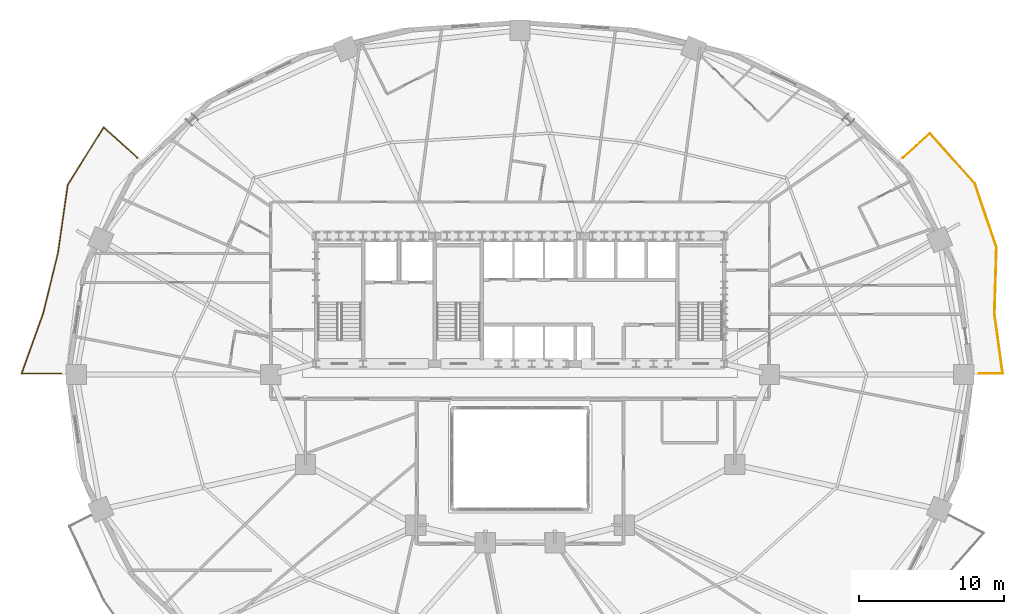
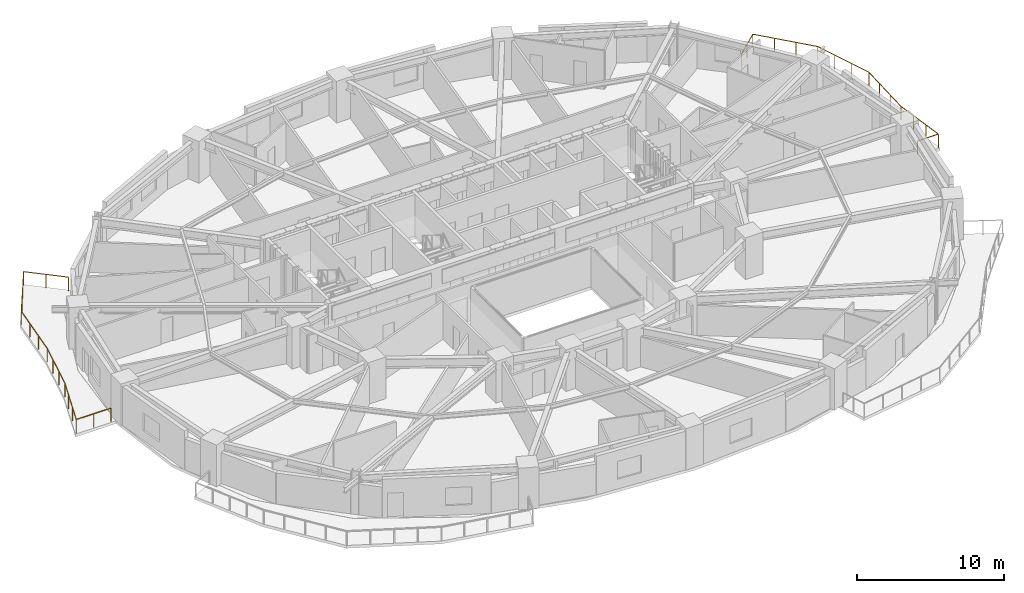
# One storey, part 17 of 17: 2 railings.
"""IFC4 building model written with IfcOpenShell, lengths in metres."""

from ifc_helpers import new_model, si_unit, direction, frame, origin, origin_2d, place, context, subcontext, project, spatial, rectangle, extrude, material, type_object, element, save


model = new_model("IFC4")

# Units and contexts
model_context = context("Model", 3, precision=1e-05, world=origin(), true_north=direction((0.0, 1.0)))
body_context = subcontext(model_context, "Body", "Model", "MODEL_VIEW")
ifc_project = project(units=[si_unit("LENGTHUNIT", "METRE"), si_unit("AREAUNIT", "SQUARE_METRE"), si_unit("VOLUMEUNIT", "CUBIC_METRE"), si_unit("PLANEANGLEUNIT", "RADIAN"), si_unit("MASSUNIT", "GRAM", prefix="KILO")], contexts=[model_context])

# Site, building, storey
site_placement = place(None, origin())
site = spatial("IfcSite", under=ifc_project, at=site_placement, CompositionType="ELEMENT")
building_placement = place(site_placement, origin())
building = spatial("IfcBuilding", under=site, at=building_placement, Name="Haldorwick Loom Tower", CompositionType="ELEMENT")
storey_placement = place(building_placement, frame((0.0, 0.0, 51.60009765625)))
storey = spatial("IfcBuildingStorey", under=building, at=storey_placement, Name="L13", CompositionType="ELEMENT", Elevation=51.60009765625)

# Railings
ifc_material = material(Name="Galvanized Steel CSA G40.21 350W", Category="steel")
railing_type = type_object("IfcRailingType", Name="ARC-RLG-BAL115", PredefinedType="BALUSTRADE", material=ifc_material)
railing_1_placement = place(storey_placement, frame((4.36083984375, 26.080078125, 0.0)))
element("IfcRailing", 1, at=railing_1_placement, inside=storey, type_object=railing_type, Name="L13 Outdoor Terrace Guardrail SLB-L13-BAL_WNW-1", PredefinedType="BALUSTRADE", context=body_context, shape_type="SweptSolid", body=[
    extrude(rectangle(XDim=0.048095703125, YDim=0.048095703125, at=origin_2d()), frame((0.0, 0.0, 1.1259765625), z_axis=(-1.0, 0.0, 0.0), x_axis=(0.0, -1.0, 0.0)), (0.0, 0.0, 1.0), 2.7314453125),
    extrude(rectangle(XDim=0.048095703125, YDim=0.048095703125, at=origin_2d()), frame((-2.7314453125, 0.0, 1.1259765625), z_axis=(0.338488613886, 0.940970487459, 0.0), x_axis=(-0.940970487459, 0.338488613886, 0.0)), (0.0, 0.0, 1.0), 4.381591796875),
    extrude(rectangle(XDim=0.048095703125, YDim=0.048095703125, at=origin_2d()), frame((-1.248291015625, 4.123046875, 1.1259765625), z_axis=(0.290007395283, 0.957024404433, 0.0), x_axis=(-0.957024404433, 0.290007395283, 0.0)), (0.0, 0.0, 1.0), 0.00830078125),
    extrude(rectangle(XDim=0.048095703125, YDim=0.048095703125, at=origin_2d()), frame((-1.245849609375, 4.131103515625, 1.1259765625), z_axis=(0.237633699165, 0.971354839912, 0.0), x_axis=(-0.971354839912, 0.237633699165, 0.0)), (0.0, 0.0, 1.0), 4.280029296875),
    extrude(rectangle(XDim=0.048095703125, YDim=0.048095703125, at=origin_2d()), frame((-0.228759765625, 8.28857421875, 1.1259765625), z_axis=(0.190021906566, 0.98177985059, 0.0), x_axis=(-0.98177985059, 0.190021906566, 0.0)), (0.0, 0.0, 1.0), 0.0078125),
    extrude(rectangle(XDim=0.048095703125, YDim=0.048095703125, at=origin_2d()), frame((-0.227294921875, 8.296142578125, 1.1259765625), z_axis=(0.14191859397, 0.989878332264, 0.0), x_axis=(-0.989878332264, 0.14191859397, 0.0)), (0.0, 0.0, 1.0), 4.742919921875),
    extrude(rectangle(XDim=0.048095703125, YDim=0.048095703125, at=origin_2d()), frame((0.44580078125, 12.990966796875, 1.1259765625), z_axis=(0.529563321948, 0.848270409744, 0.0), x_axis=(-0.848270409744, 0.529563321948, 0.0)), (0.0, 0.0, 1.0), 4.685791015625),
    extrude(rectangle(XDim=0.048095703125, YDim=0.048095703125, at=origin_2d()), frame((2.92724609375, 16.9658203125, 1.1259765625), z_axis=(0.741624845673, -0.670814868858, 0.0), x_axis=(0.670814868858, 0.741624845673, 0.0)), (0.0, 0.0, 1.0), 3.116943359375),
    extrude(rectangle(XDim=0.0419921875, YDim=0.0419921875, at=origin_2d()), origin(), (0.0, 0.0, 1.0), 1.101806640625),
    extrude(rectangle(XDim=0.0419921875, YDim=0.0419921875, at=origin_2d()), frame((-1.36572265625, 0.0, 0.0)), (0.0, 0.0, 1.0), 1.101806640625),
    extrude(rectangle(XDim=0.0419921875, YDim=0.0419921875, at=origin_2d()), frame((-2.7314453125, 0.0, 0.0)), (0.0, 0.0, 1.0), 1.101806640625),
    extrude(rectangle(XDim=0.0419921875, YDim=0.0419921875, at=origin_2d()), frame((-2.237060546875, 1.374267578125, 0.0)), (0.0, 0.0, 1.0), 1.101806640625),
    extrude(rectangle(XDim=0.0419921875, YDim=0.0419921875, at=origin_2d()), frame((-1.74267578125, 2.748779296875, 0.0)), (0.0, 0.0, 1.0), 1.101806640625),
    extrude(rectangle(XDim=0.0419921875, YDim=0.0419921875, at=origin_2d()), frame((-1.248291015625, 4.123046875, 0.0)), (0.0, 0.0, 1.0), 1.101806640625),
    extrude(rectangle(XDim=0.0419921875, YDim=0.0419921875, at=origin_2d()), frame((-0.90673828125, 5.516845703125, 0.0)), (0.0, 0.0, 1.0), 1.101806640625),
    extrude(rectangle(XDim=0.0419921875, YDim=0.0419921875, at=origin_2d()), frame((-0.56787109375, 6.90283203125, 0.0)), (0.0, 0.0, 1.0), 1.101806640625),
    extrude(rectangle(XDim=0.0419921875, YDim=0.0419921875, at=origin_2d()), frame((-0.228759765625, 8.28857421875, 0.0)), (0.0, 0.0, 1.0), 1.101806640625),
    extrude(rectangle(XDim=0.0419921875, YDim=0.0419921875, at=origin_2d()), frame((-0.0029296875, 9.861083984375, 0.0)), (0.0, 0.0, 1.0), 1.101806640625),
    extrude(rectangle(XDim=0.0419921875, YDim=0.0419921875, at=origin_2d()), frame((0.221435546875, 11.426025390625, 0.0)), (0.0, 0.0, 1.0), 1.101806640625),
    extrude(rectangle(XDim=0.0419921875, YDim=0.0419921875, at=origin_2d()), frame((0.44580078125, 12.990966796875, 0.0)), (0.0, 0.0, 1.0), 1.101806640625),
    extrude(rectangle(XDim=0.0419921875, YDim=0.0419921875, at=origin_2d()), frame((1.27294921875, 14.31591796875, 0.0)), (0.0, 0.0, 1.0), 1.101806640625),
    extrude(rectangle(XDim=0.0419921875, YDim=0.0419921875, at=origin_2d()), frame((2.10009765625, 15.640869140625, 0.0)), (0.0, 0.0, 1.0), 1.101806640625),
    extrude(rectangle(XDim=0.0419921875, YDim=0.0419921875, at=origin_2d()), frame((2.92724609375, 16.9658203125, 0.0)), (0.0, 0.0, 1.0), 1.101806640625),
    extrude(rectangle(XDim=0.0419921875, YDim=0.0419921875, at=origin_2d()), frame((4.0830078125, 15.92041015625, 0.0)), (0.0, 0.0, 1.0), 1.101806640625),
    extrude(rectangle(XDim=0.0419921875, YDim=0.0419921875, at=origin_2d()), frame((5.23876953125, 14.875, 0.0)), (0.0, 0.0, 1.0), 1.101806640625),
])
railing_2_placement = place(storey_placement, frame((62.401123046875, 40.9541015625, 0.0)))
element("IfcRailing", 2, at=railing_2_placement, inside=storey, type_object=railing_type, Name="L13 Outdoor Terrace Guardrail SLB-L13-BAL_ENE-1", PredefinedType="BALUSTRADE", context=body_context, shape_type="SweptSolid", body=[
    extrude(rectangle(XDim=0.048095703125, YDim=0.048095703125, at=origin_2d()), frame((0.0, 0.0, 1.1259765625), z_axis=(0.74353574083, 0.668696195674, 0.0), x_axis=(-0.668696195674, 0.74353574083, 0.0)), (0.0, 0.0, 1.0), 2.511962890625),
    extrude(rectangle(XDim=0.048095703125, YDim=0.048095703125, at=origin_2d()), frame((1.86767578125, 1.6796875, 1.1259765625), z_axis=(0.664640925369, -0.747162927563, 0.0), x_axis=(0.747162927563, 0.664640925369, 0.0)), (0.0, 0.0, 1.0), 4.647705078125),
    extrude(rectangle(XDim=0.048095703125, YDim=0.048095703125, at=origin_2d()), frame((4.956787109375, -1.79296875, 1.1259765625), z_axis=(0.32182984281, -0.946797524435, 0.0), x_axis=(0.946797524435, 0.32182984281, 0.0)), (0.0, 0.0, 1.0), 4.623779296875),
    extrude(rectangle(XDim=0.048095703125, YDim=0.048095703125, at=origin_2d()), frame((6.44482421875, -6.170654296875, 1.1259765625), z_axis=(-0.029323982947, -0.999569959545, 0.0), x_axis=(0.999569959545, -0.029323982947, 0.0)), (0.0, 0.0, 1.0), 4.58740234375),
    extrude(rectangle(XDim=0.048095703125, YDim=0.048095703125, at=origin_2d()), frame((6.310302734375, -10.756103515625, 1.1259765625), z_axis=(0.03701166051, -0.999314833767, 0.0), x_axis=(0.999314833767, 0.03701166051, 0.0)), (0.0, 0.0, 1.0), 0.006591796875),
    extrude(rectangle(XDim=0.048095703125, YDim=0.048095703125, at=origin_2d()), frame((6.310546875, -10.7626953125, 1.1259765625), z_axis=(0.073871685515, -0.997267754457, 0.0), x_axis=(0.997267754457, 0.073871685515, 0.0)), (0.0, 0.0, 1.0), 0.006591796875),
    extrude(rectangle(XDim=0.048095703125, YDim=0.048095703125, at=origin_2d()), frame((6.31103515625, -10.769287109375, 1.1259765625), z_axis=(0.136057133851, -0.990700992393, 0.0), x_axis=(0.990700992393, 0.136057133851, 0.0)), (0.0, 0.0, 1.0), 4.143310546875),
    extrude(rectangle(XDim=0.048095703125, YDim=0.048095703125, at=origin_2d()), frame((6.874755859375, -14.8740234375, 1.1259765625), z_axis=(-1.0, 0.0, 0.0), x_axis=(0.0, -1.0, 0.0)), (0.0, 0.0, 1.0), 1.63671875),
    extrude(rectangle(XDim=0.0419921875, YDim=0.0419921875, at=origin_2d()), origin(), (0.0, 0.0, 1.0), 1.101806640625),
    extrude(rectangle(XDim=0.0419921875, YDim=0.0419921875, at=origin_2d()), frame((0.933837890625, 0.83984375, 0.0)), (0.0, 0.0, 1.0), 1.101806640625),
    extrude(rectangle(XDim=0.0419921875, YDim=0.0419921875, at=origin_2d()), frame((1.86767578125, 1.6796875, 0.0)), (0.0, 0.0, 1.0), 1.101806640625),
    extrude(rectangle(XDim=0.0419921875, YDim=0.0419921875, at=origin_2d()), frame((2.8974609375, 0.522216796875, 0.0)), (0.0, 0.0, 1.0), 1.101806640625),
    extrude(rectangle(XDim=0.0419921875, YDim=0.0419921875, at=origin_2d()), frame((3.927001953125, -0.635498046875, 0.0)), (0.0, 0.0, 1.0), 1.101806640625),
    extrude(rectangle(XDim=0.0419921875, YDim=0.0419921875, at=origin_2d()), frame((4.956787109375, -1.79296875, 0.0)), (0.0, 0.0, 1.0), 1.101806640625),
    extrude(rectangle(XDim=0.0419921875, YDim=0.0419921875, at=origin_2d()), frame((5.452880859375, -3.252197265625, 0.0)), (0.0, 0.0, 1.0), 1.101806640625),
    extrude(rectangle(XDim=0.0419921875, YDim=0.0419921875, at=origin_2d()), frame((5.94873046875, -4.71142578125, 0.0)), (0.0, 0.0, 1.0), 1.101806640625),
    extrude(rectangle(XDim=0.0419921875, YDim=0.0419921875, at=origin_2d()), frame((6.44482421875, -6.170654296875, 0.0)), (0.0, 0.0, 1.0), 1.101806640625),
    extrude(rectangle(XDim=0.0419921875, YDim=0.0419921875, at=origin_2d()), frame((6.39990234375, -7.69921875, 0.0)), (0.0, 0.0, 1.0), 1.101806640625),
    extrude(rectangle(XDim=0.0419921875, YDim=0.0419921875, at=origin_2d()), frame((6.355224609375, -9.2275390625, 0.0)), (0.0, 0.0, 1.0), 1.101806640625),
    extrude(rectangle(XDim=0.0419921875, YDim=0.0419921875, at=origin_2d()), frame((6.310302734375, -10.756103515625, 0.0)), (0.0, 0.0, 1.0), 1.101806640625),
    extrude(rectangle(XDim=0.0419921875, YDim=0.0419921875, at=origin_2d()), frame((6.4990234375, -12.137451171875, 0.0)), (0.0, 0.0, 1.0), 1.101806640625),
    extrude(rectangle(XDim=0.0419921875, YDim=0.0419921875, at=origin_2d()), frame((6.686767578125, -13.505859375, 0.0)), (0.0, 0.0, 1.0), 1.101806640625),
    extrude(rectangle(XDim=0.0419921875, YDim=0.0419921875, at=origin_2d()), frame((6.874755859375, -14.8740234375, 0.0)), (0.0, 0.0, 1.0), 1.101806640625),
    extrude(rectangle(XDim=0.0419921875, YDim=0.0419921875, at=origin_2d()), frame((5.238037109375, -14.8740234375, 0.0)), (0.0, 0.0, 1.0), 1.101806640625),
])

save(model, "model.ifc")
